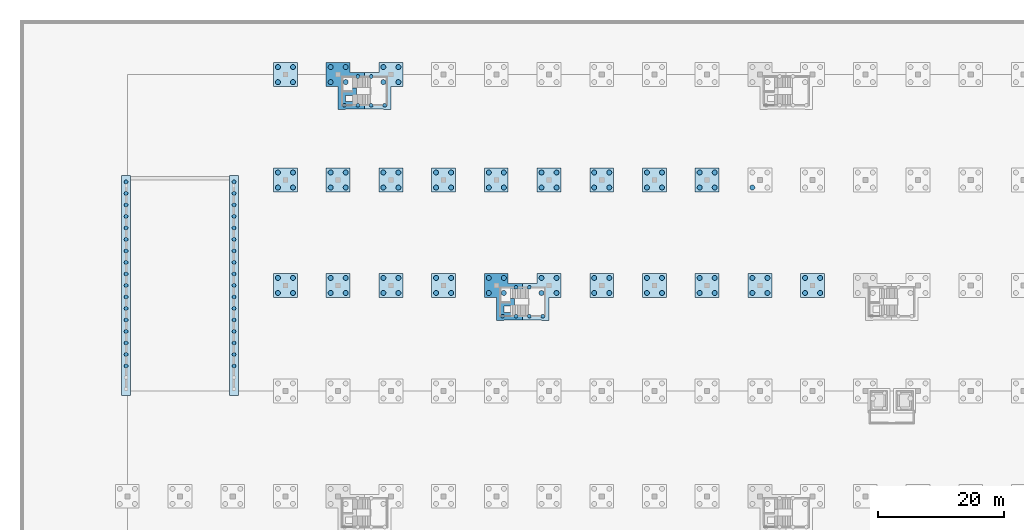
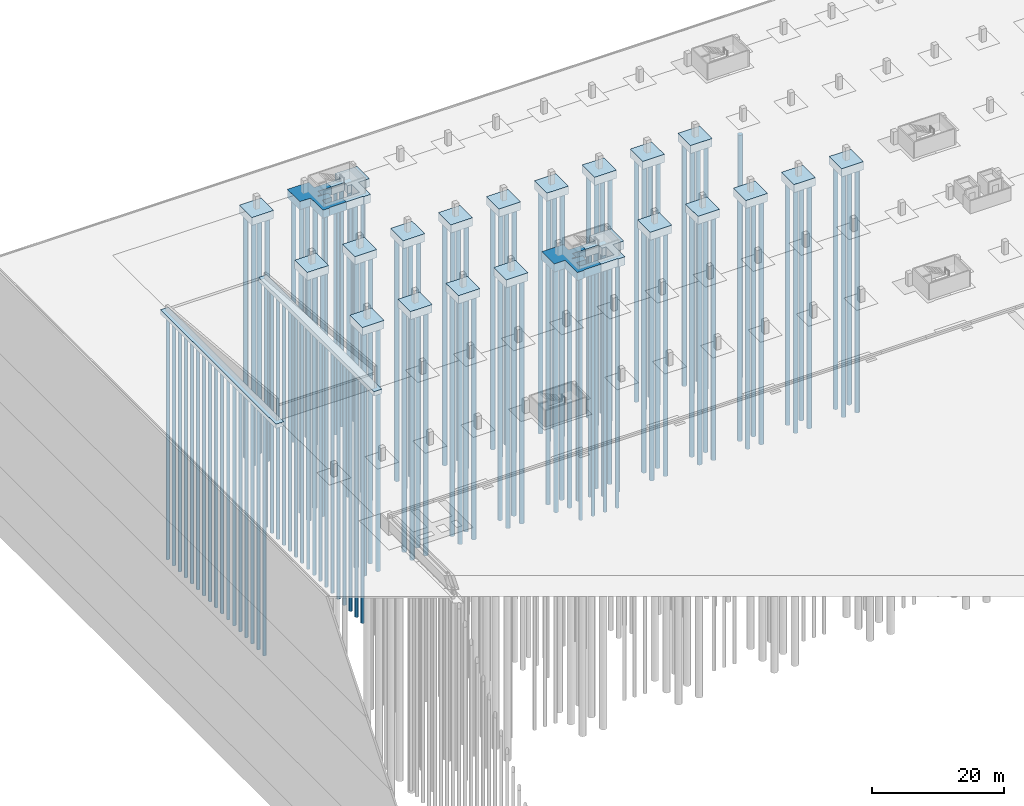
# One storey, part 22 of 67: 139 piles, 25 footings.
"""IFC4 building model written with IfcOpenShell, lengths in metres."""

from ifc_helpers import new_model, si_unit, direction, frame, origin, origin_2d, place, context, subcontext, project, spatial, polyline, circle, outline, extrude, material, material_profile, profile_set, type_object, element, save


model = new_model("IFC4")

# Units and contexts
model_context = context("Model", 3, precision=1e-05, world=origin(), true_north=direction((0.0, 1.0)))
body_context = subcontext(model_context, "Body", "Model", "MODEL_VIEW")
ifc_project = project(units=[si_unit("LENGTHUNIT", "METRE"), si_unit("AREAUNIT", "SQUARE_METRE"), si_unit("VOLUMEUNIT", "CUBIC_METRE"), si_unit("PLANEANGLEUNIT", "RADIAN"), si_unit("MASSUNIT", "GRAM", prefix="KILO")], contexts=[model_context])

# Site, building, storey
site_placement = place(None, origin())
site = spatial("IfcSite", under=ifc_project, at=site_placement, CompositionType="ELEMENT")
building_placement = place(site_placement, origin())
building = spatial("IfcBuilding", under=site, at=building_placement, Name="Rain Tree Exposition and Congress Centre", CompositionType="ELEMENT")
storey_placement = place(building_placement, frame((0.0, 0.0, -3.0)))
storey = spatial("IfcBuildingStorey", under=building, at=storey_placement, Name="B1", CompositionType="ELEMENT", Elevation=-3.0)

# Piles
ifc_material_1 = material(Name="Concrete C35/45", Category="concrete")
ifc_material_profile_1 = material_profile(ifc_material_1, circle(Radius=0.300048828125, at=origin_2d()), Name="D600")
ifc_profile_set_1 = profile_set([ifc_material_profile_1], Name="Concrete C35/45")
pile_type_1 = type_object("IfcPileType", Name="Bored pile D600", PredefinedType="BORED", material=ifc_profile_set_1)
for number, where, z_axis, x_axis, name in (
    (1, (8.199951171875, 268.5, -0.72509765625), (0.0, 0.0, -1.0), (1.0, 0.0, 0.0), "Bored pile 0225"),
    (2, (8.199951171875, 266.666748046875, -0.72509765625), (0.0, 0.0, -1.0), (1.0, 0.0, 0.0), "Bored pile 0226"),
    (3, (8.199951171875, 264.833251953125, -0.72509765625), (0.0, 0.0, -1.0), (1.0, 0.0, 0.0), "Bored pile 0227"),
    (4, (8.199951171875, 263.0, -0.72509765625), (0.0, 0.0, -1.0), (1.0, 0.0, 0.0), "Bored pile 0228"),
    (5, (8.199951171875, 261.166748046875, -0.72509765625), (0.0, 0.0, -1.0), (1.0, 0.0, 0.0), "Bored pile 0229"),
    (6, (8.199951171875, 259.333251953125, -0.72509765625), (0.0, 0.0, -1.0), (1.0, 0.0, 0.0), "Bored pile 0230"),
    (7, (8.199951171875, 257.5, -0.72509765625), (0.0, 0.0, -1.0), (1.0, 0.0, 0.0), "Bored pile 0231"),
    (8, (8.199951171875, 255.666748046875, -0.72509765625), (0.0, 0.0, -1.0), (1.0, 0.0, 0.0), "Bored pile 0232"),
    (9, (8.199951171875, 253.833251953125, -0.72509765625), (0.0, 0.0, -1.0), (1.0, 0.0, 0.0), "Bored pile 0233"),
    (10, (8.199951171875, 252.0, -0.72509765625), (0.0, 0.0, -1.0), (1.0, 0.0, 0.0), "Bored pile 0234"),
    (11, (8.199951171875, 250.166748046875, -0.72509765625), (0.0, 0.0, -1.0), (1.0, 0.0, 0.0), "Bored pile 0235"),
    (12, (8.199951171875, 248.333251953125, -0.72509765625), (0.0, 0.0, -1.0), (1.0, 0.0, 0.0), "Bored pile 0236"),
    (13, (8.199951171875, 246.5, -0.72509765625), (0.0, 0.0, -1.0), (1.0, 0.0, 0.0), "Bored pile 0237"),
    (14, (8.199951171875, 244.666748046875, -0.72509765625), (0.0, 0.0, -1.0), (1.0, 0.0, 0.0), "Bored pile 0238"),
    (15, (8.199951171875, 242.833251953125, -0.72509765625), (0.0, 0.0, -1.0), (1.0, 0.0, 0.0), "Bored pile 0239"),
    (16, (8.199951171875, 241.0, -0.72509765625), (0.0, 0.0, -1.0), (1.0, 0.0, 0.0), "Bored pile 0240"),
    (17, (8.199951171875, 239.166748046875, -0.72509765625), (0.0, 0.0, -1.0), (1.0, 0.0, 0.0), "Bored pile 0241"),
    (18, (25.39990234375, 268.5, -0.72509765625), (0.0, 0.0, -1.0), (1.0, 0.0, 0.0), "Bored pile 0248"),
    (19, (25.39990234375, 266.666748046875, -0.72509765625), (0.0, 0.0, -1.0), (1.0, 0.0, 0.0), "Bored pile 0249"),
    (20, (25.39990234375, 264.833251953125, -0.72509765625), (0.0, 0.0, -1.0), (1.0, 0.0, 0.0), "Bored pile 0250"),
    (21, (25.39990234375, 263.0, -0.72509765625), (0.0, 0.0, -1.0), (1.0, 0.0, 0.0), "Bored pile 0251"),
    (22, (25.39990234375, 261.166748046875, -0.72509765625), (0.0, 0.0, -1.0), (1.0, 0.0, 0.0), "Bored pile 0252"),
    (23, (25.39990234375, 259.333251953125, -0.72509765625), (0.0, 0.0, -1.0), (1.0, 0.0, 0.0), "Bored pile 0253"),
    (24, (25.39990234375, 257.5, -0.72509765625), (0.0, 0.0, -1.0), (1.0, 0.0, 0.0), "Bored pile 0254"),
    (25, (25.39990234375, 255.666748046875, -0.72509765625), (0.0, 0.0, -1.0), (1.0, 0.0, 0.0), "Bored pile 0255"),
    (26, (25.39990234375, 253.833251953125, -0.72509765625), (0.0, 0.0, -1.0), (1.0, 0.0, 0.0), "Bored pile 0256"),
    (27, (25.39990234375, 252.0, -0.72509765625), (0.0, 0.0, -1.0), (1.0, 0.0, 0.0), "Bored pile 0257"),
    (28, (25.39990234375, 250.166748046875, -0.72509765625), (0.0, 0.0, -1.0), (1.0, 0.0, 0.0), "Bored pile 0258"),
    (29, (25.39990234375, 248.333251953125, -0.72509765625), (0.0, 0.0, -1.0), (1.0, 0.0, 0.0), "Bored pile 0259"),
    (30, (25.39990234375, 246.5, -0.72509765625), (0.0, 0.0, -1.0), (1.0, 0.0, 0.0), "Bored pile 0260"),
    (31, (25.39990234375, 244.666748046875, -0.72509765625), (0.0, 0.0, -1.0), (1.0, 0.0, 0.0), "Bored pile 0261"),
    (32, (25.39990234375, 242.833251953125, -0.72509765625), (0.0, 0.0, -1.0), (1.0, 0.0, 0.0), "Bored pile 0262"),
    (33, (25.39990234375, 241.0, -0.72509765625), (0.0, 0.0, -1.0), (1.0, 0.0, 0.0), "Bored pile 0263"),
    (34, (25.39990234375, 239.166748046875, -0.72509765625), (0.0, 0.0, -1.0), (1.0, 0.0, 0.0), "Bored pile 0264"),
    (35, (68.199951171875, 247.10009765625, -1.425048828125), (0.0, 0.0, -1.0), (1.0, 0.0, 0.0), "Bored pile 0483"),
    (36, (70.333251953125, 247.10009765625, -1.425048828125), (0.0, 0.0, -1.0), (1.0, 0.0, 0.0), "Bored pile 0486"),
    (37, (70.333251953125, 251.699951171875, -1.425048828125), (0.0, 0.0, -1.0), (1.0, 0.0, 0.0), "Bored pile 0487"),
    (38, (72.466796875, 247.10009765625, -1.425048828125), (0.0, 0.0, -1.0), (1.0, 0.0, 0.0), "Bored pile 0488"),
    (39, (72.466796875, 251.699951171875, -1.425048828125), (0.0, 0.0, -1.0), (1.0, 0.0, 0.0), "Bored pile 0489"),
    (40, (74.60009765625, 247.10009765625, -1.425048828125), (0.0, 0.0, -1.0), (1.0, 0.0, 0.0), "Bored pile 0492"),
    (41, (43.0, 280.699951171875, -1.425048828125), (0.0, 0.0, -1.0), (1.0, 0.0, 0.0), "Bored pile 0517"),
    (42, (45.13330078125, 280.699951171875, -1.425048828125), (0.0, 0.0, -1.0), (1.0, 0.0, 0.0), "Bored pile 0520"),
    (43, (45.13330078125, 285.300048828125, -1.425048828125), (0.0, 0.0, -1.0), (1.0, 0.0, 0.0), "Bored pile 0521"),
    (44, (47.2666015625, 280.699951171875, -1.425048828125), (0.0, 0.0, -1.0), (1.0, 0.0, 0.0), "Bored pile 0522"),
    (45, (47.2666015625, 285.300048828125, -1.425048828125), (0.0, 0.0, -1.0), (1.0, 0.0, 0.0), "Bored pile 0523"),
    (46, (49.39990234375, 280.699951171875, -1.425048828125), (0.0, 0.0, -1.0), (1.0, 0.0, 0.0), "Bored pile 0526"),
):
    element("IfcPile", number, at=place(storey_placement, frame(where, z_axis=z_axis, x_axis=x_axis)), inside=storey, type_object=pile_type_1, Name=name, PredefinedType="BORED", context=body_context, shape_type="SweptSolid", body=[
        extrude(circle(Radius=0.300048828125, at=origin_2d()), origin(), (0.0, 0.0, 1.0), 45.074951171875),
    ])
ifc_material_2 = material(Name="Concrete C35/45", Category="concrete")
ifc_material_profile_2 = material_profile(ifc_material_2, circle(Radius=0.39990234375, at=origin_2d()), Name="D800")
ifc_profile_set_2 = profile_set([ifc_material_profile_2], Name="Concrete C35/45")
pile_type_2 = type_object("IfcPileType", Name="Bored pile D800", PredefinedType="BORED", material=ifc_profile_set_2)
for number, where, z_axis, x_axis, name in (
    (47, (32.39990234375, 250.800048828125, -1.425048828125), (0.0, 0.0, -1.0), (1.0, 0.0, 0.0), "Bored pile 0244"),
    (48, (34.800048828125, 250.800048828125, -1.425048828125), (0.0, 0.0, -1.0), (1.0, 0.0, 0.0), "Bored pile 0245"),
    (49, (32.39990234375, 253.199951171875, -1.425048828125), (0.0, 0.0, -1.0), (1.0, 0.0, 0.0), "Bored pile 0246"),
    (50, (34.800048828125, 253.199951171875, -1.425048828125), (0.0, 0.0, -1.0), (1.0, 0.0, 0.0), "Bored pile 0247"),
    (51, (32.39990234375, 267.60009765625, -1.425048828125), (0.0, 0.0, -1.0), (1.0, 0.0, 0.0), "Bored pile 0267"),
    (52, (34.800048828125, 267.60009765625, -1.425048828125), (0.0, 0.0, -1.0), (1.0, 0.0, 0.0), "Bored pile 0268"),
    (53, (32.39990234375, 270.0, -1.425048828125), (0.0, 0.0, -1.0), (1.0, 0.0, 0.0), "Bored pile 0269"),
    (54, (34.800048828125, 270.0, -1.425048828125), (0.0, 0.0, -1.0), (1.0, 0.0, 0.0), "Bored pile 0270"),
    (55, (32.39990234375, 284.39990234375, -1.425048828125), (0.0, 0.0, -1.0), (1.0, 0.0, 0.0), "Bored pile 0271"),
    (56, (34.800048828125, 284.39990234375, -1.425048828125), (0.0, 0.0, -1.0), (1.0, 0.0, 0.0), "Bored pile 0272"),
    (57, (32.39990234375, 286.800048828125, -1.425048828125), (0.0, 0.0, -1.0), (1.0, 0.0, 0.0), "Bored pile 0273"),
    (58, (34.800048828125, 286.800048828125, -1.425048828125), (0.0, 0.0, -1.0), (1.0, 0.0, 0.0), "Bored pile 0274"),
    (59, (40.800048828125, 250.800048828125, -1.425048828125), (0.0, 0.0, -1.0), (1.0, 0.0, 0.0), "Bored pile 0473"),
    (60, (43.199951171875, 250.800048828125, -1.425048828125), (0.0, 0.0, -1.0), (1.0, 0.0, 0.0), "Bored pile 0474"),
    (61, (40.800048828125, 253.199951171875, -1.425048828125), (0.0, 0.0, -1.0), (1.0, 0.0, 0.0), "Bored pile 0475"),
    (62, (43.199951171875, 253.199951171875, -1.425048828125), (0.0, 0.0, -1.0), (1.0, 0.0, 0.0), "Bored pile 0476"),
    (63, (57.60009765625, 250.800048828125, -1.425048828125), (0.0, 0.0, -1.0), (1.0, 0.0, 0.0), "Bored pile 0477"),
    (64, (60.0, 250.800048828125, -1.425048828125), (0.0, 0.0, -1.0), (1.0, 0.0, 0.0), "Bored pile 0478"),
    (65, (57.60009765625, 253.199951171875, -1.425048828125), (0.0, 0.0, -1.0), (1.0, 0.0, 0.0), "Bored pile 0479"),
    (66, (60.0, 253.199951171875, -1.425048828125), (0.0, 0.0, -1.0), (1.0, 0.0, 0.0), "Bored pile 0480"),
    (67, (66.0, 250.800048828125, -1.425048828125), (0.0, 0.0, -1.0), (1.0, 0.0, 0.0), "Bored pile 0481"),
    (68, (66.0, 253.199951171875, -1.425048828125), (0.0, 0.0, -1.0), (1.0, 0.0, 0.0), "Bored pile 0482"),
    (69, (68.39990234375, 250.800048828125, -1.425048828125), (0.0, 0.0, -1.0), (1.0, 0.0, 0.0), "Bored pile 0484"),
    (70, (68.39990234375, 253.199951171875, -1.425048828125), (0.0, 0.0, -1.0), (1.0, 0.0, 0.0), "Bored pile 0485"),
    (71, (74.39990234375, 250.800048828125, -1.425048828125), (0.0, 0.0, -1.0), (1.0, 0.0, 0.0), "Bored pile 0490"),
    (72, (74.39990234375, 253.199951171875, -1.425048828125), (0.0, 0.0, -1.0), (1.0, 0.0, 0.0), "Bored pile 0491"),
    (73, (76.800048828125, 250.800048828125, -1.425048828125), (0.0, 0.0, -1.0), (1.0, 0.0, 0.0), "Bored pile 0493"),
    (74, (76.800048828125, 253.199951171875, -1.425048828125), (0.0, 0.0, -1.0), (1.0, 0.0, 0.0), "Bored pile 0494"),
    (75, (49.199951171875, 250.800048828125, -1.425048828125), (0.0, 0.0, -1.0), (1.0, 0.0, 0.0), "Bored pile 0495"),
    (76, (51.60009765625, 250.800048828125, -1.425048828125), (0.0, 0.0, -1.0), (1.0, 0.0, 0.0), "Bored pile 0496"),
    (77, (49.199951171875, 253.199951171875, -1.425048828125), (0.0, 0.0, -1.0), (1.0, 0.0, 0.0), "Bored pile 0497"),
    (78, (51.60009765625, 253.199951171875, -1.425048828125), (0.0, 0.0, -1.0), (1.0, 0.0, 0.0), "Bored pile 0498"),
    (79, (66.0, 267.60009765625, -1.425048828125), (0.0, 0.0, -1.0), (1.0, 0.0, 0.0), "Bored pile 0499"),
    (80, (68.39990234375, 267.60009765625, -1.425048828125), (0.0, 0.0, -1.0), (1.0, 0.0, 0.0), "Bored pile 0500"),
    (81, (66.0, 270.0, -1.425048828125), (0.0, 0.0, -1.0), (1.0, 0.0, 0.0), "Bored pile 0501"),
    (82, (68.39990234375, 270.0, -1.425048828125), (0.0, 0.0, -1.0), (1.0, 0.0, 0.0), "Bored pile 0502"),
    (83, (57.60009765625, 267.60009765625, -1.425048828125), (0.0, 0.0, -1.0), (1.0, 0.0, 0.0), "Bored pile 0503"),
    (84, (60.0, 267.60009765625, -1.425048828125), (0.0, 0.0, -1.0), (1.0, 0.0, 0.0), "Bored pile 0504"),
    (85, (57.60009765625, 270.0, -1.425048828125), (0.0, 0.0, -1.0), (1.0, 0.0, 0.0), "Bored pile 0505"),
    (86, (60.0, 270.0, -1.425048828125), (0.0, 0.0, -1.0), (1.0, 0.0, 0.0), "Bored pile 0506"),
    (87, (49.199951171875, 267.60009765625, -1.425048828125), (0.0, 0.0, -1.0), (1.0, 0.0, 0.0), "Bored pile 0507"),
    (88, (51.60009765625, 267.60009765625, -1.425048828125), (0.0, 0.0, -1.0), (1.0, 0.0, 0.0), "Bored pile 0508"),
    (89, (49.199951171875, 270.0, -1.425048828125), (0.0, 0.0, -1.0), (1.0, 0.0, 0.0), "Bored pile 0509"),
    (90, (51.60009765625, 270.0, -1.425048828125), (0.0, 0.0, -1.0), (1.0, 0.0, 0.0), "Bored pile 0510"),
    (91, (40.800048828125, 267.60009765625, -1.425048828125), (0.0, 0.0, -1.0), (1.0, 0.0, 0.0), "Bored pile 0511"),
    (92, (43.199951171875, 267.60009765625, -1.425048828125), (0.0, 0.0, -1.0), (1.0, 0.0, 0.0), "Bored pile 0512"),
    (93, (40.800048828125, 270.0, -1.425048828125), (0.0, 0.0, -1.0), (1.0, 0.0, 0.0), "Bored pile 0513"),
    (94, (43.199951171875, 270.0, -1.425048828125), (0.0, 0.0, -1.0), (1.0, 0.0, 0.0), "Bored pile 0514"),
    (95, (40.800048828125, 284.39990234375, -1.425048828125), (0.0, 0.0, -1.0), (1.0, 0.0, 0.0), "Bored pile 0515"),
    (96, (40.800048828125, 286.800048828125, -1.425048828125), (0.0, 0.0, -1.0), (1.0, 0.0, 0.0), "Bored pile 0516"),
    (97, (43.199951171875, 284.39990234375, -1.425048828125), (0.0, 0.0, -1.0), (1.0, 0.0, 0.0), "Bored pile 0518"),
    (98, (43.199951171875, 286.800048828125, -1.425048828125), (0.0, 0.0, -1.0), (1.0, 0.0, 0.0), "Bored pile 0519"),
    (99, (49.199951171875, 284.39990234375, -1.425048828125), (0.0, 0.0, -1.0), (1.0, 0.0, 0.0), "Bored pile 0524"),
    (100, (49.199951171875, 286.800048828125, -1.425048828125), (0.0, 0.0, -1.0), (1.0, 0.0, 0.0), "Bored pile 0525"),
    (101, (51.60009765625, 284.39990234375, -1.425048828125), (0.0, 0.0, -1.0), (1.0, 0.0, 0.0), "Bored pile 0527"),
    (102, (51.60009765625, 286.800048828125, -1.425048828125), (0.0, 0.0, -1.0), (1.0, 0.0, 0.0), "Bored pile 0528"),
    (103, (91.199951171875, 250.800048828125, -1.425048828125), (0.0, 0.0, -1.0), (1.0, 0.0, 0.0), "Bored pile 0666"),
    (104, (93.60009765625, 250.800048828125, -1.425048828125), (0.0, 0.0, -1.0), (1.0, 0.0, 0.0), "Bored pile 0667"),
    (105, (91.199951171875, 253.199951171875, -1.425048828125), (0.0, 0.0, -1.0), (1.0, 0.0, 0.0), "Bored pile 0668"),
    (106, (93.60009765625, 253.199951171875, -1.425048828125), (0.0, 0.0, -1.0), (1.0, 0.0, 0.0), "Bored pile 0669"),
    (107, (82.800048828125, 250.800048828125, -1.425048828125), (0.0, 0.0, -1.0), (1.0, 0.0, 0.0), "Bored pile 0670"),
    (108, (85.199951171875, 250.800048828125, -1.425048828125), (0.0, 0.0, -1.0), (1.0, 0.0, 0.0), "Bored pile 0671"),
    (109, (82.800048828125, 253.199951171875, -1.425048828125), (0.0, 0.0, -1.0), (1.0, 0.0, 0.0), "Bored pile 0672"),
    (110, (85.199951171875, 253.199951171875, -1.425048828125), (0.0, 0.0, -1.0), (1.0, 0.0, 0.0), "Bored pile 0673"),
    (111, (99.60009765625, 250.800048828125, -1.425048828125), (0.0, 0.0, -1.0), (1.0, 0.0, 0.0), "Bored pile 0674"),
    (112, (102.0, 250.800048828125, -1.425048828125), (0.0, 0.0, -1.0), (1.0, 0.0, 0.0), "Bored pile 0675"),
    (113, (99.60009765625, 253.199951171875, -1.425048828125), (0.0, 0.0, -1.0), (1.0, 0.0, 0.0), "Bored pile 0676"),
    (114, (102.0, 253.199951171875, -1.425048828125), (0.0, 0.0, -1.0), (1.0, 0.0, 0.0), "Bored pile 0677"),
    (115, (99.60009765625, 267.60009765625, -1.425048828125), (0.0, 0.0, -1.0), (1.0, 0.0, 0.0), "Bored pile 0678"),
    (116, (102.0, 267.60009765625, -1.425048828125), (0.0, 0.0, -1.0), (1.0, 0.0, 0.0), "Bored pile 0679"),
    (117, (99.60009765625, 270.0, -1.425048828125), (0.0, 0.0, -1.0), (1.0, 0.0, 0.0), "Bored pile 0680"),
    (118, (102.0, 270.0, -1.425048828125), (0.0, 0.0, -1.0), (1.0, 0.0, 0.0), "Bored pile 0681"),
    (119, (74.39990234375, 267.60009765625, -1.425048828125), (0.0, 0.0, -1.0), (1.0, 0.0, 0.0), "Bored pile 0682"),
    (120, (76.800048828125, 267.60009765625, -1.425048828125), (0.0, 0.0, -1.0), (1.0, 0.0, 0.0), "Bored pile 0683"),
    (121, (74.39990234375, 270.0, -1.425048828125), (0.0, 0.0, -1.0), (1.0, 0.0, 0.0), "Bored pile 0684"),
    (122, (76.800048828125, 270.0, -1.425048828125), (0.0, 0.0, -1.0), (1.0, 0.0, 0.0), "Bored pile 0685"),
    (123, (82.800048828125, 267.60009765625, -1.425048828125), (0.0, 0.0, -1.0), (1.0, 0.0, 0.0), "Bored pile 0686"),
    (124, (85.199951171875, 267.60009765625, -1.425048828125), (0.0, 0.0, -1.0), (1.0, 0.0, 0.0), "Bored pile 0687"),
    (125, (82.800048828125, 270.0, -1.425048828125), (0.0, 0.0, -1.0), (1.0, 0.0, 0.0), "Bored pile 0688"),
    (126, (85.199951171875, 270.0, -1.425048828125), (0.0, 0.0, -1.0), (1.0, 0.0, 0.0), "Bored pile 0689"),
    (127, (91.199951171875, 267.60009765625, -1.425048828125), (0.0, 0.0, -1.0), (1.0, 0.0, 0.0), "Bored pile 0690"),
    (128, (93.60009765625, 267.60009765625, -1.425048828125), (0.0, 0.0, -1.0), (1.0, 0.0, 0.0), "Bored pile 0691"),
    (129, (91.199951171875, 270.0, -1.425048828125), (0.0, 0.0, -1.0), (1.0, 0.0, 0.0), "Bored pile 0692"),
    (130, (93.60009765625, 270.0, -1.425048828125), (0.0, 0.0, -1.0), (1.0, 0.0, 0.0), "Bored pile 0693"),
    (131, (116.39990234375, 250.800048828125, -1.425048828125), (0.0, 0.0, -1.0), (1.0, 0.0, 0.0), "Bored pile 0857"),
    (132, (118.800048828125, 250.800048828125, -1.425048828125), (0.0, 0.0, -1.0), (1.0, 0.0, 0.0), "Bored pile 0858"),
    (133, (116.39990234375, 253.199951171875, -1.425048828125), (0.0, 0.0, -1.0), (1.0, 0.0, 0.0), "Bored pile 0859"),
    (134, (118.800048828125, 253.199951171875, -1.425048828125), (0.0, 0.0, -1.0), (1.0, 0.0, 0.0), "Bored pile 0860"),
    (135, (108.0, 250.800048828125, -1.425048828125), (0.0, 0.0, -1.0), (1.0, 0.0, 0.0), "Bored pile 0861"),
    (136, (110.39990234375, 250.800048828125, -1.425048828125), (0.0, 0.0, -1.0), (1.0, 0.0, 0.0), "Bored pile 0862"),
    (137, (108.0, 253.199951171875, -1.425048828125), (0.0, 0.0, -1.0), (1.0, 0.0, 0.0), "Bored pile 0863"),
    (138, (110.39990234375, 253.199951171875, -1.425048828125), (0.0, 0.0, -1.0), (1.0, 0.0, 0.0), "Bored pile 0864"),
    (139, (108.0, 267.60009765625, -1.425048828125), (0.0, 0.0, -1.0), (1.0, 0.0, 0.0), "Bored pile 0869"),
):
    element("IfcPile", number, at=place(storey_placement, frame(where, z_axis=z_axis, x_axis=x_axis)), inside=storey, type_object=pile_type_2, Name=name, PredefinedType="BORED", context=body_context, shape_type="SweptSolid", body=[
        extrude(circle(Radius=0.39990234375, at=origin_2d()), origin(), (0.0, 0.0, 1.0), 45.074951171875),
    ])

# Footings
ifc_material_3 = material(Name="Concrete C35/45", Category="concrete")
footing_type_1 = type_object("IfcFootingType", Name="Pile cap 1500 thick", PredefinedType="PILE_CAP", material=ifc_material_3)
footing_1_placement = place(storey_placement, frame((0.0, 0.0, -1.5)))
element("IfcFooting", 140, at=footing_1_placement, inside=storey, type_object=footing_type_1, Name="Pile cap 052", PredefinedType="PILE_CAP", context=body_context, shape_type="SweptSolid", body=[
    extrude(outline(polyline([(35.5, 250.10009765625), (35.5, 253.89990234375), (31.699951171875, 253.89990234375), (31.699951171875, 250.10009765625), (35.5, 250.10009765625)])), origin(), (0.0, 0.0, 1.0), 1.5),
])
footing_2_placement = place(storey_placement, frame((0.0, 0.0, -1.5)))
element("IfcFooting", 141, at=footing_2_placement, inside=storey, type_object=footing_type_1, Name="Pile cap 053", PredefinedType="PILE_CAP", context=body_context, shape_type="SweptSolid", body=[
    extrude(outline(polyline([(35.5, 266.89990234375), (35.5, 270.699951171875), (31.699951171875, 270.699951171875), (31.699951171875, 266.89990234375), (35.5, 266.89990234375)])), origin(), (0.0, 0.0, 1.0), 1.5),
])
footing_3_placement = place(storey_placement, frame((0.0, 0.0, -1.5)))
element("IfcFooting", 142, at=footing_3_placement, inside=storey, type_object=footing_type_1, Name="Pile cap 054", PredefinedType="PILE_CAP", context=body_context, shape_type="SweptSolid", body=[
    extrude(outline(polyline([(35.5, 283.699951171875), (35.5, 287.5), (31.699951171875, 287.5), (31.699951171875, 283.699951171875), (35.5, 283.699951171875)])), origin(), (0.0, 0.0, 1.0), 1.5),
])
footing_4_placement = place(storey_placement, frame((0.0, 0.0, -1.5)))
element("IfcFooting", 143, at=footing_4_placement, inside=storey, type_object=footing_type_1, Name="Pile cap 093", PredefinedType="PILE_CAP", context=body_context, shape_type="SweptSolid", body=[
    extrude(outline(polyline([(43.89990234375, 250.10009765625), (43.89990234375, 253.89990234375), (40.10009765625, 253.89990234375), (40.10009765625, 250.10009765625), (43.89990234375, 250.10009765625)])), origin(), (0.0, 0.0, 1.0), 1.5),
])
footing_5_placement = place(storey_placement, frame((0.0, 0.0, -1.5)))
element("IfcFooting", 144, at=footing_5_placement, inside=storey, type_object=footing_type_1, Name="Pile cap 094", PredefinedType="PILE_CAP", context=body_context, shape_type="SweptSolid", body=[
    extrude(outline(polyline([(60.699951171875, 250.10009765625), (60.699951171875, 253.89990234375), (56.89990234375, 253.89990234375), (56.89990234375, 250.10009765625), (60.699951171875, 250.10009765625)])), origin(), (0.0, 0.0, 1.0), 1.5),
])
footing_6_placement = place(storey_placement, frame((0.0, 0.0, -1.5)))
element("IfcFooting", 145, at=footing_6_placement, inside=storey, type_object=footing_type_1, Name="Pile cap 095", PredefinedType="PILE_CAP", context=body_context, shape_type="SweptSolid", body=[
    extrude(outline(polyline([(52.300048828125, 250.10009765625), (52.300048828125, 253.89990234375), (48.5, 253.89990234375), (48.5, 250.10009765625), (52.300048828125, 250.10009765625)])), origin(), (0.0, 0.0, 1.0), 1.5),
])
footing_7_placement = place(storey_placement, frame((0.0, 0.0, -1.5)))
element("IfcFooting", 146, at=footing_7_placement, inside=storey, type_object=footing_type_1, Name="Pile cap 096", PredefinedType="PILE_CAP", context=body_context, shape_type="SweptSolid", body=[
    extrude(outline(polyline([(69.10009765625, 266.89990234375), (69.10009765625, 270.699951171875), (65.300048828125, 270.699951171875), (65.300048828125, 266.89990234375), (69.10009765625, 266.89990234375)])), origin(), (0.0, 0.0, 1.0), 1.5),
])
footing_8_placement = place(storey_placement, frame((0.0, 0.0, -1.5)))
element("IfcFooting", 147, at=footing_8_placement, inside=storey, type_object=footing_type_1, Name="Pile cap 097", PredefinedType="PILE_CAP", context=body_context, shape_type="SweptSolid", body=[
    extrude(outline(polyline([(60.699951171875, 266.89990234375), (60.699951171875, 270.699951171875), (56.89990234375, 270.699951171875), (56.89990234375, 266.89990234375), (60.699951171875, 266.89990234375)])), origin(), (0.0, 0.0, 1.0), 1.5),
])
footing_9_placement = place(storey_placement, frame((0.0, 0.0, -1.5)))
element("IfcFooting", 148, at=footing_9_placement, inside=storey, type_object=footing_type_1, Name="Pile cap 098", PredefinedType="PILE_CAP", context=body_context, shape_type="SweptSolid", body=[
    extrude(outline(polyline([(52.300048828125, 266.89990234375), (52.300048828125, 270.699951171875), (48.5, 270.699951171875), (48.5, 266.89990234375), (52.300048828125, 266.89990234375)])), origin(), (0.0, 0.0, 1.0), 1.5),
])
footing_10_placement = place(storey_placement, frame((0.0, 0.0, -1.5)))
element("IfcFooting", 149, at=footing_10_placement, inside=storey, type_object=footing_type_1, Name="Pile cap 099", PredefinedType="PILE_CAP", context=body_context, shape_type="SweptSolid", body=[
    extrude(outline(polyline([(43.89990234375, 266.89990234375), (43.89990234375, 270.699951171875), (40.10009765625, 270.699951171875), (40.10009765625, 266.89990234375), (43.89990234375, 266.89990234375)])), origin(), (0.0, 0.0, 1.0), 1.5),
])
footing_11_placement = place(storey_placement, frame((0.0, 0.0, -1.5)))
element("IfcFooting", 150, at=footing_11_placement, inside=storey, type_object=footing_type_1, Name="Pile cap 133", PredefinedType="PILE_CAP", context=body_context, shape_type="SweptSolid", body=[
    extrude(outline(polyline([(94.300048828125, 250.10009765625), (94.300048828125, 253.89990234375), (90.5, 253.89990234375), (90.5, 250.10009765625), (94.300048828125, 250.10009765625)])), origin(), (0.0, 0.0, 1.0), 1.5),
])
footing_12_placement = place(storey_placement, frame((0.0, 0.0, -1.5)))
element("IfcFooting", 151, at=footing_12_placement, inside=storey, type_object=footing_type_1, Name="Pile cap 134", PredefinedType="PILE_CAP", context=body_context, shape_type="SweptSolid", body=[
    extrude(outline(polyline([(85.89990234375, 250.10009765625), (85.89990234375, 253.89990234375), (82.10009765625, 253.89990234375), (82.10009765625, 250.10009765625), (85.89990234375, 250.10009765625)])), origin(), (0.0, 0.0, 1.0), 1.5),
])
footing_13_placement = place(storey_placement, frame((0.0, 0.0, -1.5)))
element("IfcFooting", 152, at=footing_13_placement, inside=storey, type_object=footing_type_1, Name="Pile cap 135", PredefinedType="PILE_CAP", context=body_context, shape_type="SweptSolid", body=[
    extrude(outline(polyline([(102.699951171875, 250.10009765625), (102.699951171875, 253.89990234375), (98.89990234375, 253.89990234375), (98.89990234375, 250.10009765625), (102.699951171875, 250.10009765625)])), origin(), (0.0, 0.0, 1.0), 1.5),
])
footing_14_placement = place(storey_placement, frame((0.0, 0.0, -1.5)))
element("IfcFooting", 153, at=footing_14_placement, inside=storey, type_object=footing_type_1, Name="Pile cap 136", PredefinedType="PILE_CAP", context=body_context, shape_type="SweptSolid", body=[
    extrude(outline(polyline([(102.699951171875, 266.89990234375), (102.699951171875, 270.699951171875), (98.89990234375, 270.699951171875), (98.89990234375, 266.89990234375), (102.699951171875, 266.89990234375)])), origin(), (0.0, 0.0, 1.0), 1.5),
])
footing_15_placement = place(storey_placement, frame((0.0, 0.0, -1.5)))
element("IfcFooting", 154, at=footing_15_placement, inside=storey, type_object=footing_type_1, Name="Pile cap 137", PredefinedType="PILE_CAP", context=body_context, shape_type="SweptSolid", body=[
    extrude(outline(polyline([(77.5, 266.89990234375), (77.5, 270.699951171875), (73.699951171875, 270.699951171875), (73.699951171875, 266.89990234375), (77.5, 266.89990234375)])), origin(), (0.0, 0.0, 1.0), 1.5),
])
footing_16_placement = place(storey_placement, frame((0.0, 0.0, -1.5)))
element("IfcFooting", 155, at=footing_16_placement, inside=storey, type_object=footing_type_1, Name="Pile cap 138", PredefinedType="PILE_CAP", context=body_context, shape_type="SweptSolid", body=[
    extrude(outline(polyline([(85.89990234375, 266.89990234375), (85.89990234375, 270.699951171875), (82.10009765625, 270.699951171875), (82.10009765625, 266.89990234375), (85.89990234375, 266.89990234375)])), origin(), (0.0, 0.0, 1.0), 1.5),
])
footing_17_placement = place(storey_placement, frame((0.0, 0.0, -1.5)))
element("IfcFooting", 156, at=footing_17_placement, inside=storey, type_object=footing_type_1, Name="Pile cap 139", PredefinedType="PILE_CAP", context=body_context, shape_type="SweptSolid", body=[
    extrude(outline(polyline([(94.300048828125, 266.89990234375), (94.300048828125, 270.699951171875), (90.5, 270.699951171875), (90.5, 266.89990234375), (94.300048828125, 266.89990234375)])), origin(), (0.0, 0.0, 1.0), 1.5),
])
footing_18_placement = place(storey_placement, frame((0.0, 0.0, -1.5)))
element("IfcFooting", 157, at=footing_18_placement, inside=storey, type_object=footing_type_1, Name="Pile cap 162", PredefinedType="PILE_CAP", context=body_context, shape_type="SweptSolid", body=[
    extrude(outline(polyline([(119.5, 250.10009765625), (119.5, 253.89990234375), (115.699951171875, 253.89990234375), (115.699951171875, 250.10009765625), (119.5, 250.10009765625)])), origin(), (0.0, 0.0, 1.0), 1.5),
])
footing_19_placement = place(storey_placement, frame((0.0, 0.0, -1.5)))
element("IfcFooting", 158, at=footing_19_placement, inside=storey, type_object=footing_type_1, Name="Pile cap 163", PredefinedType="PILE_CAP", context=body_context, shape_type="SweptSolid", body=[
    extrude(outline(polyline([(111.10009765625, 250.10009765625), (111.10009765625, 253.89990234375), (107.300048828125, 253.89990234375), (107.300048828125, 250.10009765625), (111.10009765625, 250.10009765625)])), origin(), (0.0, 0.0, 1.0), 1.5),
])
ifc_material_4 = material(Name="Concrete C35/45", Category="concrete")
footing_type_2 = type_object("IfcFootingType", Name="Strip footing 1500 thick", PredefinedType="STRIP_FOOTING", material=ifc_material_4)
footing_20_placement = place(storey_placement, frame((0.0, 0.0, -1.5)))
element("IfcFooting", 159, at=footing_20_placement, inside=storey, type_object=footing_type_2, Name="Strip footing 011", PredefinedType="STRIP_FOOTING", context=body_context, shape_type="SweptSolid", body=[
    extrude(outline(polyline([(68.39990234375, 246.39990234375), (68.39990234375, 246.5), (71.39990234375, 246.5), (71.39990234375, 247.699951171875), (68.39990234375, 247.699951171875), (68.39990234375, 248.699951171875), (70.10009765625, 248.699951171875), (70.10009765625, 249.89990234375), (69.5, 249.89990234375), (68.39990234375, 249.89990234375), (68.39990234375, 250.10009765625), (69.10009765625, 250.10009765625), (69.10009765625, 251.10009765625), (71.39990234375, 251.10009765625), (71.39990234375, 252.300048828125), (69.10009765625, 252.300048828125), (69.10009765625, 253.89990234375), (65.300048828125, 253.89990234375), (65.300048828125, 250.10009765625), (67.199951171875, 250.10009765625), (67.199951171875, 246.39990234375), (68.39990234375, 246.39990234375)])), origin(), (0.0, 0.0, 1.0), 1.5),
])
footing_21_placement = place(storey_placement, frame((0.0, 0.0, -1.5)))
element("IfcFooting", 160, at=footing_21_placement, inside=storey, type_object=footing_type_2, Name="Strip footing 012", PredefinedType="STRIP_FOOTING", context=body_context, shape_type="SweptSolid", body=[
    extrude(outline(polyline([(73.699951171875, 252.300048828125), (71.39990234375, 252.300048828125), (71.39990234375, 251.10009765625), (73.699951171875, 251.10009765625), (73.699951171875, 250.10009765625), (74.39990234375, 250.10009765625), (74.39990234375, 247.699951171875), (71.39990234375, 247.699951171875), (71.39990234375, 246.5), (74.39990234375, 246.5), (74.39990234375, 246.39990234375), (75.60009765625, 246.39990234375), (75.60009765625, 247.0), (75.60009765625, 250.10009765625), (77.5, 250.10009765625), (77.5, 253.89990234375), (73.699951171875, 253.89990234375), (73.699951171875, 252.300048828125)])), origin(), (0.0, 0.0, 1.0), 1.5),
])
footing_22_placement = place(storey_placement, frame((0.0, 0.0, -1.5)))
element("IfcFooting", 161, at=footing_22_placement, inside=storey, type_object=footing_type_2, Name="Strip footing 013", PredefinedType="STRIP_FOOTING", context=body_context, shape_type="SweptSolid", body=[
    extrude(outline(polyline([(43.199951171875, 280.0), (43.199951171875, 280.10009765625), (46.199951171875, 280.10009765625), (46.199951171875, 281.300048828125), (43.199951171875, 281.300048828125), (43.199951171875, 282.300048828125), (44.89990234375, 282.300048828125), (44.89990234375, 283.5), (44.300048828125, 283.5), (43.199951171875, 283.5), (43.199951171875, 283.699951171875), (43.89990234375, 283.699951171875), (43.89990234375, 284.699951171875), (46.199951171875, 284.699951171875), (46.199951171875, 285.89990234375), (43.89990234375, 285.89990234375), (43.89990234375, 287.5), (40.10009765625, 287.5), (40.10009765625, 283.699951171875), (42.0, 283.699951171875), (42.0, 280.0), (43.199951171875, 280.0)])), origin(), (0.0, 0.0, 1.0), 1.5),
])
footing_23_placement = place(storey_placement, frame((0.0, 0.0, -1.5)))
element("IfcFooting", 162, at=footing_23_placement, inside=storey, type_object=footing_type_2, Name="Strip footing 014", PredefinedType="STRIP_FOOTING", context=body_context, shape_type="SweptSolid", body=[
    extrude(outline(polyline([(48.5, 285.89990234375), (46.199951171875, 285.89990234375), (46.199951171875, 284.699951171875), (48.5, 284.699951171875), (48.5, 283.699951171875), (49.199951171875, 283.699951171875), (49.199951171875, 281.300048828125), (46.199951171875, 281.300048828125), (46.199951171875, 280.10009765625), (49.199951171875, 280.10009765625), (49.199951171875, 280.0), (50.39990234375, 280.0), (50.39990234375, 280.60009765625), (50.39990234375, 283.699951171875), (52.300048828125, 283.699951171875), (52.300048828125, 287.5), (48.5, 287.5), (48.5, 285.89990234375)])), origin(), (0.0, 0.0, 1.0), 1.5),
])
ifc_material_5 = material(Name="Concrete C35/45", Category="concrete")
footing_type_3 = type_object("IfcFootingType", Name="Strip footing 800 thick", PredefinedType="STRIP_FOOTING", material=ifc_material_5)
footing_24_placement = place(storey_placement, frame((0.0, 0.0, -0.800048828125)))
element("IfcFooting", 163, at=footing_24_placement, inside=storey, type_object=footing_type_3, Name="Strip footing 003", PredefinedType="STRIP_FOOTING", context=body_context, shape_type="SweptSolid", body=[
    extrude(outline(polyline([(8.89990234375, 235.199951171875), (8.89990234375, 269.5), (7.5, 269.5), (7.5, 268.800048828125), (7.5, 234.5), (8.89990234375, 234.5), (8.89990234375, 235.199951171875)])), origin(), (0.0, 0.0, 1.0), 0.800048828125),
])
footing_25_placement = place(storey_placement, frame((0.0, 0.0, -0.800048828125)))
element("IfcFooting", 164, at=footing_25_placement, inside=storey, type_object=footing_type_3, Name="Strip footing 004", PredefinedType="STRIP_FOOTING", context=body_context, shape_type="SweptSolid", body=[
    extrude(outline(polyline([(26.10009765625, 235.199951171875), (26.10009765625, 269.5), (24.699951171875, 269.5), (24.699951171875, 268.800048828125), (24.699951171875, 234.5), (26.10009765625, 234.5), (26.10009765625, 235.199951171875)])), origin(), (0.0, 0.0, 1.0), 0.800048828125),
])

save(model, "model.ifc")
